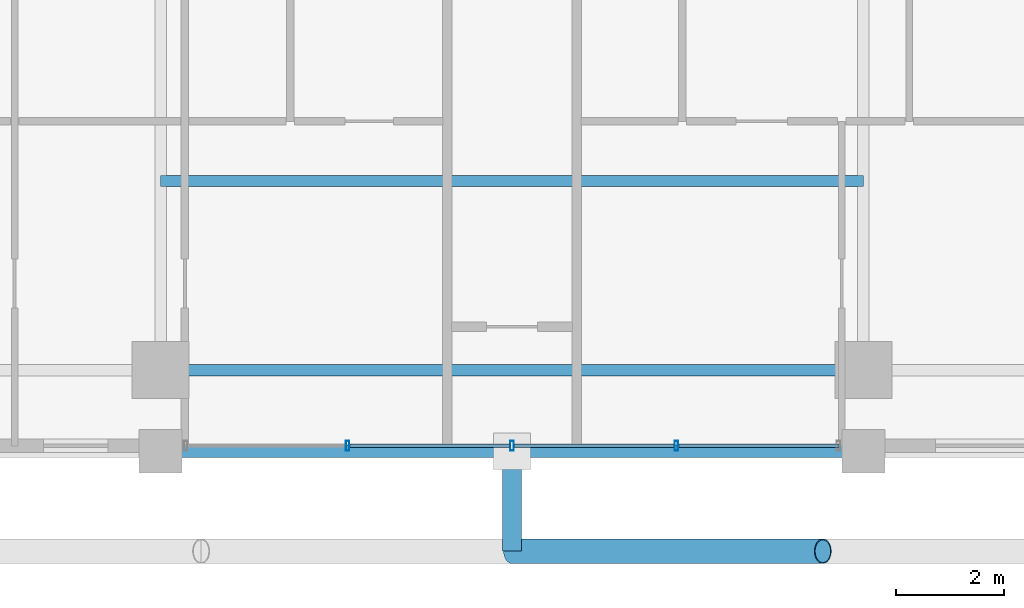
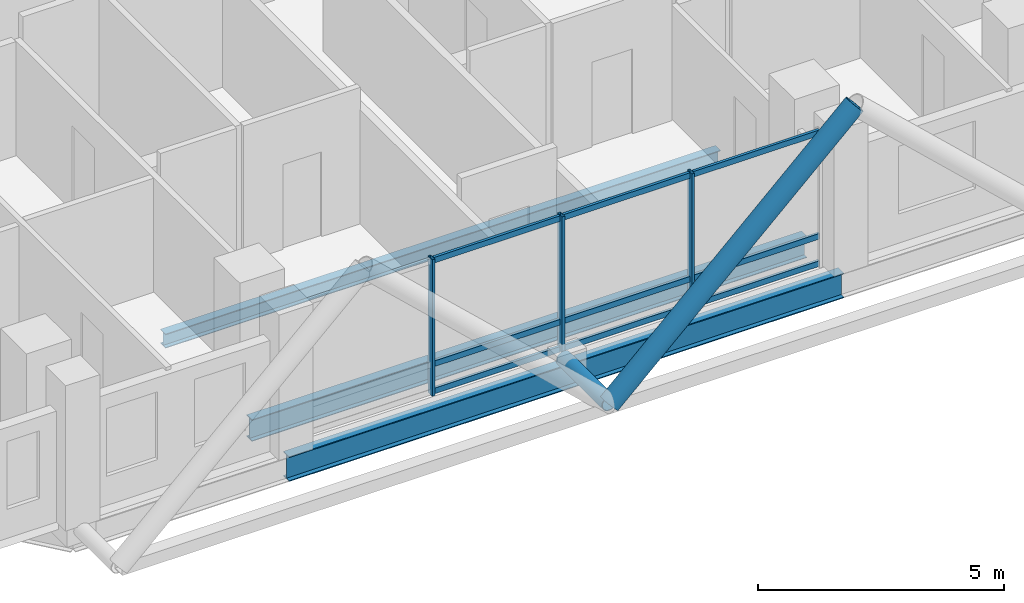
# One storey, part 4 of 26: 14 members, 3 beams, 1 element without a shape of its own.
"""IFC4 building model written with IfcOpenShell, lengths in metres."""

from ifc_helpers import new_model, si_unit, direction, frame, origin, origin_2d, place, context, subcontext, project, spatial, hollow_rectangle, hollow_circle, i_section, extrude, material, layer, layer_set, material_profile, profile_set, type_object, element, aggregate, save


model = new_model("IFC4")

# Units and contexts
model_context = context("Model", 3, precision=1e-05, world=origin(), true_north=direction((0.0, 1.0)))
body_context = subcontext(model_context, "Body", "Model", "MODEL_VIEW")
ifc_project = project(units=[si_unit("LENGTHUNIT", "METRE"), si_unit("AREAUNIT", "SQUARE_METRE"), si_unit("VOLUMEUNIT", "CUBIC_METRE"), si_unit("PLANEANGLEUNIT", "RADIAN"), si_unit("MASSUNIT", "GRAM", prefix="KILO")], contexts=[model_context])

# Site, building, storey
site_placement = place(None, origin())
site = spatial("IfcSite", under=ifc_project, at=site_placement, CompositionType="ELEMENT")
building_placement = place(site_placement, origin())
building = spatial("IfcBuilding", under=site, at=building_placement, Name="Barlavira Tower and Art Museum", CompositionType="ELEMENT")
storey_placement = place(building_placement, frame((0.0, 0.0, 198.0)))
storey = spatial("IfcBuildingStorey", under=building, at=storey_placement, Name="L51", CompositionType="ELEMENT", Elevation=198.0)

# Curtain wall, members
ifc_material_1 = material(Name="Low-iron coastal laminated glass", Category="glass")
ifc_layer = layer(ifc_material_1, 0.199951171875, Name="Low-iron coastal laminated glass")
ifc_layer_set = layer_set([ifc_layer], Name="Low-iron coastal laminated glass")
curtain_wall_type = type_object("IfcCurtainWallType", Name="Pale-Metal Unitised Curtain Wall Zone 3", PredefinedType="NOTDEFINED", material=ifc_layer_set)
curtain_wall_placement = place(storey_placement, origin())
curtain_wall = element("IfcCurtainWall", 1, at=curtain_wall_placement, inside=storey, type_object=curtain_wall_type, Name="L51 Curtain Wall CW3-L51-S-B3", PredefinedType="NOTDEFINED")
ifc_material_2 = material(Name="Pale anodised aluminium", Category="aluminium")
ifc_material_profile_1 = material_profile(ifc_material_2, hollow_rectangle(XDim=0.06494140625, YDim=0.179931640625, WallThickness=0.00390625, at=origin_2d()), Name="ALU-MULL 65x180x4")
ifc_profile_set_1 = profile_set([ifc_material_profile_1], Name="Pale anodised aluminium")
member_type_1 = type_object("IfcMemberType", Name="Curtain Wall Pale-Metal Mullion 65x180", PredefinedType="MULLION", material=ifc_profile_set_1)
member_1_placement = place(storey_placement, frame((-3.0400390625, -21.39990234375, 0.0), z_axis=(0.0, 0.0, 1.0), x_axis=(1.0, 0.0, 0.0)))
member_1 = element("IfcMember", 2, at=member_1_placement, type_object=member_type_1, Name="CW3-L51-S-B3 Mullion 1", PredefinedType="MULLION", context=body_context, shape_type="SweptSolid", body=[
    extrude(hollow_rectangle(XDim=0.06494140625, YDim=0.179931640625, WallThickness=0.00390625, at=origin_2d()), origin(), (0.0, 0.0, 1.0), 3.3798828125),
])
member_2_placement = place(storey_placement, frame((0.0, -21.39990234375, 0.0), z_axis=(0.0, 0.0, 1.0), x_axis=(1.0, 0.0, 0.0)))
member_2 = element("IfcMember", 3, at=member_2_placement, type_object=member_type_1, Name="CW3-L51-S-B3 Mullion 2", PredefinedType="MULLION", context=body_context, shape_type="SweptSolid", body=[
    extrude(hollow_rectangle(XDim=0.06494140625, YDim=0.179931640625, WallThickness=0.00390625, at=origin_2d()), origin(), (0.0, 0.0, 1.0), 3.3798828125),
])
member_3_placement = place(storey_placement, frame((3.0400390625, -21.39990234375, 0.0), z_axis=(0.0, 0.0, 1.0), x_axis=(1.0, 0.0, 0.0)))
member_3 = element("IfcMember", 4, at=member_3_placement, type_object=member_type_1, Name="CW3-L51-S-B3 Mullion 3", PredefinedType="MULLION", context=body_context, shape_type="SweptSolid", body=[
    extrude(hollow_rectangle(XDim=0.06494140625, YDim=0.179931640625, WallThickness=0.00390625, at=origin_2d()), origin(), (0.0, 0.0, 1.0), 3.3798828125),
])
ifc_material_profile_2 = material_profile(ifc_material_2, hollow_rectangle(XDim=0.06494140625, YDim=0.139892578125, WallThickness=0.00390625, at=origin_2d()), Name="ALU-TRAN 65x140x4")
ifc_profile_set_2 = profile_set([ifc_material_profile_2], Name="Pale anodised aluminium")
member_type_2 = type_object("IfcMemberType", Name="Curtain Wall Pale-Metal Transom 65x140", PredefinedType="USERDEFINED", material=ifc_profile_set_2)
member_4_placement = place(storey_placement, frame((-2.9951171875, -21.39990234375, 0.070068359375), z_axis=(1.0, 0.0, 0.0), x_axis=(0.0, 1.0, 0.0)))
member_4 = element("IfcMember", 5, at=member_4_placement, type_object=member_type_2, Name="CW3-L51-S-B3 Transom 1.1", ObjectType="TRANSOM", PredefinedType="USERDEFINED", context=body_context, shape_type="SweptSolid", body=[
    extrude(hollow_rectangle(XDim=0.06494140625, YDim=0.139892578125, WallThickness=0.00390625, at=origin_2d()), origin(), (0.0, 0.0, 1.0), 2.9501953125),
])
member_5_placement = place(storey_placement, frame((-2.9951171875, -21.39990234375, 0.743896484375), z_axis=(1.0, 0.0, 0.0), x_axis=(0.0, 1.0, 0.0)))
member_5 = element("IfcMember", 6, at=member_5_placement, type_object=member_type_2, Name="CW3-L51-S-B3 Transom 1.2", ObjectType="TRANSOM", PredefinedType="USERDEFINED", context=body_context, shape_type="SweptSolid", body=[
    extrude(hollow_rectangle(XDim=0.06494140625, YDim=0.139892578125, WallThickness=0.00390625, at=origin_2d()), origin(), (0.0, 0.0, 1.0), 2.9501953125),
])
member_6_placement = place(storey_placement, frame((-2.9951171875, -21.39990234375, 3.31005859375), z_axis=(1.0, 0.0, 0.0), x_axis=(0.0, 1.0, 0.0)))
member_6 = element("IfcMember", 7, at=member_6_placement, type_object=member_type_2, Name="CW3-L51-S-B3 Transom 1.3", ObjectType="TRANSOM", PredefinedType="USERDEFINED", context=body_context, shape_type="SweptSolid", body=[
    extrude(hollow_rectangle(XDim=0.06494140625, YDim=0.139892578125, WallThickness=0.00390625, at=origin_2d()), origin(), (0.0, 0.0, 1.0), 2.9501953125),
])
member_7_placement = place(storey_placement, frame((0.044921875, -21.39990234375, 0.070068359375), z_axis=(1.0, 0.0, 0.0), x_axis=(0.0, 1.0, 0.0)))
member_7 = element("IfcMember", 8, at=member_7_placement, type_object=member_type_2, Name="CW3-L51-S-B3 Transom 2.1", ObjectType="TRANSOM", PredefinedType="USERDEFINED", context=body_context, shape_type="SweptSolid", body=[
    extrude(hollow_rectangle(XDim=0.06494140625, YDim=0.139892578125, WallThickness=0.00390625, at=origin_2d()), origin(), (0.0, 0.0, 1.0), 2.9501953125),
])
member_8_placement = place(storey_placement, frame((0.044921875, -21.39990234375, 0.743896484375), z_axis=(1.0, 0.0, 0.0), x_axis=(0.0, 1.0, 0.0)))
member_8 = element("IfcMember", 9, at=member_8_placement, type_object=member_type_2, Name="CW3-L51-S-B3 Transom 2.2", ObjectType="TRANSOM", PredefinedType="USERDEFINED", context=body_context, shape_type="SweptSolid", body=[
    extrude(hollow_rectangle(XDim=0.06494140625, YDim=0.139892578125, WallThickness=0.00390625, at=origin_2d()), origin(), (0.0, 0.0, 1.0), 2.9501953125),
])
member_9_placement = place(storey_placement, frame((0.044921875, -21.39990234375, 3.31005859375), z_axis=(1.0, 0.0, 0.0), x_axis=(0.0, 1.0, 0.0)))
member_9 = element("IfcMember", 10, at=member_9_placement, type_object=member_type_2, Name="CW3-L51-S-B3 Transom 2.3", ObjectType="TRANSOM", PredefinedType="USERDEFINED", context=body_context, shape_type="SweptSolid", body=[
    extrude(hollow_rectangle(XDim=0.06494140625, YDim=0.139892578125, WallThickness=0.00390625, at=origin_2d()), origin(), (0.0, 0.0, 1.0), 2.9501953125),
])
member_10_placement = place(storey_placement, frame((3.0849609375, -21.39990234375, 0.070068359375), z_axis=(1.0, 0.0, 0.0), x_axis=(0.0, 1.0, 0.0)))
member_10 = element("IfcMember", 11, at=member_10_placement, type_object=member_type_2, Name="CW3-L51-S-B3 Transom 3.1", ObjectType="TRANSOM", PredefinedType="USERDEFINED", context=body_context, shape_type="SweptSolid", body=[
    extrude(hollow_rectangle(XDim=0.06494140625, YDim=0.139892578125, WallThickness=0.00390625, at=origin_2d()), origin(), (0.0, 0.0, 1.0), 2.949951171875),
])
member_11_placement = place(storey_placement, frame((3.0849609375, -21.39990234375, 0.743896484375), z_axis=(1.0, 0.0, 0.0), x_axis=(0.0, 1.0, 0.0)))
member_11 = element("IfcMember", 12, at=member_11_placement, type_object=member_type_2, Name="CW3-L51-S-B3 Transom 3.2", ObjectType="TRANSOM", PredefinedType="USERDEFINED", context=body_context, shape_type="SweptSolid", body=[
    extrude(hollow_rectangle(XDim=0.06494140625, YDim=0.139892578125, WallThickness=0.00390625, at=origin_2d()), origin(), (0.0, 0.0, 1.0), 2.949951171875),
])
member_12_placement = place(storey_placement, frame((3.0849609375, -21.39990234375, 3.31005859375), z_axis=(1.0, 0.0, 0.0), x_axis=(0.0, 1.0, 0.0)))
member_12 = element("IfcMember", 13, at=member_12_placement, type_object=member_type_2, Name="CW3-L51-S-B3 Transom 3.3", ObjectType="TRANSOM", PredefinedType="USERDEFINED", context=body_context, shape_type="SweptSolid", body=[
    extrude(hollow_rectangle(XDim=0.06494140625, YDim=0.139892578125, WallThickness=0.00390625, at=origin_2d()), origin(), (0.0, 0.0, 1.0), 2.949951171875),
])
aggregate(curtain_wall, [member_1, member_2, member_3, member_4, member_5, member_6, member_7, member_8, member_9, member_10, member_11, member_12])

# Members
ifc_material_3 = material(Name="Steel S355", Category="steel")
ifc_material_profile_3 = material_profile(ifc_material_3, hollow_circle(Radius=0.228515625, WallThickness=0.02001953125, at=origin_2d()), Name="CHS 457.0x20.0")
ifc_profile_set_3 = profile_set([ifc_material_profile_3], Name="Steel S355")
member_type_3 = type_object("IfcMemberType", Name="Pale-Metal Exoskeleton Diagrid Tube CHS 457x20 Steel S355", PredefinedType="BRACE", material=ifc_profile_set_3)
member_13_placement = place(storey_placement, frame((0.0, -23.35009765625, -0.1201171875), z_axis=(0.728934650808, 0.0, 0.684583285548), x_axis=(0.0, 1.0, 0.0)))
element("IfcMember", 14, at=member_13_placement, inside=storey, type_object=member_type_3, Name="L51 Exoskeleton Diagrid Tube S", PredefinedType="BRACE", context=body_context, shape_type="SweptSolid", body=[
    extrude(hollow_circle(Radius=0.228515625, WallThickness=0.02001953125, at=origin_2d()), origin(), (0.0, 0.0, 1.0), 7.88818359375),
])
ifc_material_profile_4 = material_profile(ifc_material_3, hollow_circle(Radius=0.177734375, WallThickness=0.01611328125, at=origin_2d()), Name="CHS 355.6x16.0")
ifc_profile_set_4 = profile_set([ifc_material_profile_4], Name="Steel S355")
member_type_4 = type_object("IfcMemberType", Name="Pale-Metal Exoskeleton Tie Strut CHS 356x16 Steel S355", PredefinedType="STRUT", material=ifc_profile_set_4)
member_14_placement = place(storey_placement, frame((0.0, -23.35009765625, -0.1201171875), z_axis=(0.0, 1.0, 0.0), x_axis=(-1.0, 0.0, 0.0)))
element("IfcMember", 15, at=member_14_placement, inside=storey, type_object=member_type_4, Name="L51 Exoskeleton Tie Strut S2", PredefinedType="STRUT", context=body_context, shape_type="SweptSolid", body=[
    extrude(hollow_circle(Radius=0.177734375, WallThickness=0.01611328125, at=origin_2d()), origin(), (0.0, 0.0, 1.0), 1.85009765625),
])

# Beams
ifc_material_profile_5 = material_profile(ifc_material_3, i_section(OverallWidth=0.22998046875, OverallDepth=0.616943359375, WebThickness=0.01318359375, FlangeThickness=0.022216796875, at=origin_2d()), Name="W610x140.0")
ifc_profile_set_5 = profile_set([ifc_material_profile_5], Name="Steel S355")
beam_type_1 = type_object("IfcBeamType", Name="Upper Shaft Spandrel Edge Beam W610x140 Steel S355", PredefinedType="SPANDREL", material=ifc_profile_set_5)
beam_1_placement = place(storey_placement, frame((-6.5, -21.5, -0.528564453125), z_axis=(1.0, 0.0, 0.0), x_axis=(0.0, 1.0, 0.0)))
element("IfcBeam", 16, at=beam_1_placement, inside=storey, type_object=beam_type_1, Name="L51 Spandrel 2", PredefinedType="SPANDREL", context=body_context, shape_type="SweptSolid", body=[
    extrude(i_section(OverallWidth=0.22998046875, OverallDepth=0.616943359375, WebThickness=0.01318359375, FlangeThickness=0.022216796875, at=origin_2d()), origin(), (0.0, 0.0, 1.0), 13.0),
])
ifc_material_profile_6 = material_profile(ifc_material_3, i_section(OverallWidth=0.205078125, OverallDepth=0.35400390625, WebThickness=0.009521484375, FlangeThickness=0.016845703125, at=origin_2d()), Name="W360x79.0")
ifc_profile_set_6 = profile_set([ifc_material_profile_6], Name="Steel S355")
beam_type_2 = type_object("IfcBeamType", Name="Zone 3 Composite Floor Joist W360x79 Steel S355", PredefinedType="JOIST", material=ifc_profile_set_6)
beam_2_placement = place(storey_placement, frame((-6.5, -16.5, -0.39697265625), z_axis=(1.0, 0.0, 0.0), x_axis=(0.0, 1.0, 0.0)))
element("IfcBeam", 17, at=beam_2_placement, inside=storey, type_object=beam_type_2, Name="L51 Joist C1", PredefinedType="JOIST", context=body_context, shape_type="SweptSolid", body=[
    extrude(i_section(OverallWidth=0.205078125, OverallDepth=0.35400390625, WebThickness=0.009521484375, FlangeThickness=0.016845703125, at=origin_2d()), origin(), (0.0, 0.0, 1.0), 13.0),
])
ifc_material_profile_7 = material_profile(ifc_material_3, i_section(OverallWidth=0.2109375, OverallDepth=0.5390625, WebThickness=0.01171875, FlangeThickness=0.018798828125, at=origin_2d()), Name="W530x109.0")
ifc_profile_set_7 = profile_set([ifc_material_profile_7], Name="Steel S355")
beam_type_3 = type_object("IfcBeamType", Name="Zone 3-4 Primary Floor Girder W530x109 Steel S355", PredefinedType="BEAM", material=ifc_profile_set_7)
beam_3_placement = place(storey_placement, frame((-6.5, -20.0, -0.489501953125), z_axis=(1.0, 0.0, 0.0), x_axis=(0.0, 1.0, 0.0)))
element("IfcBeam", 18, at=beam_3_placement, inside=storey, type_object=beam_type_3, Name="L51 Girder M-S2", PredefinedType="BEAM", context=body_context, shape_type="SweptSolid", body=[
    extrude(i_section(OverallWidth=0.2109375, OverallDepth=0.5390625, WebThickness=0.01171875, FlangeThickness=0.018798828125, at=origin_2d()), origin(), (0.0, 0.0, 1.0), 13.0),
])

save(model, "model.ifc")
